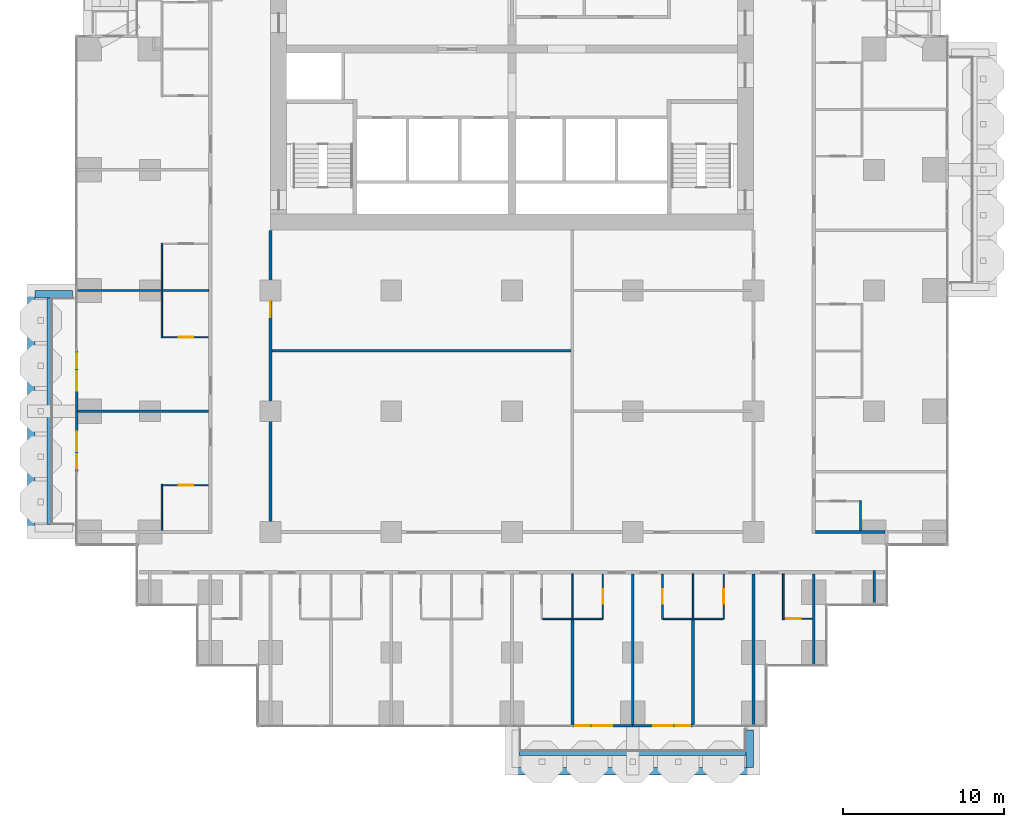
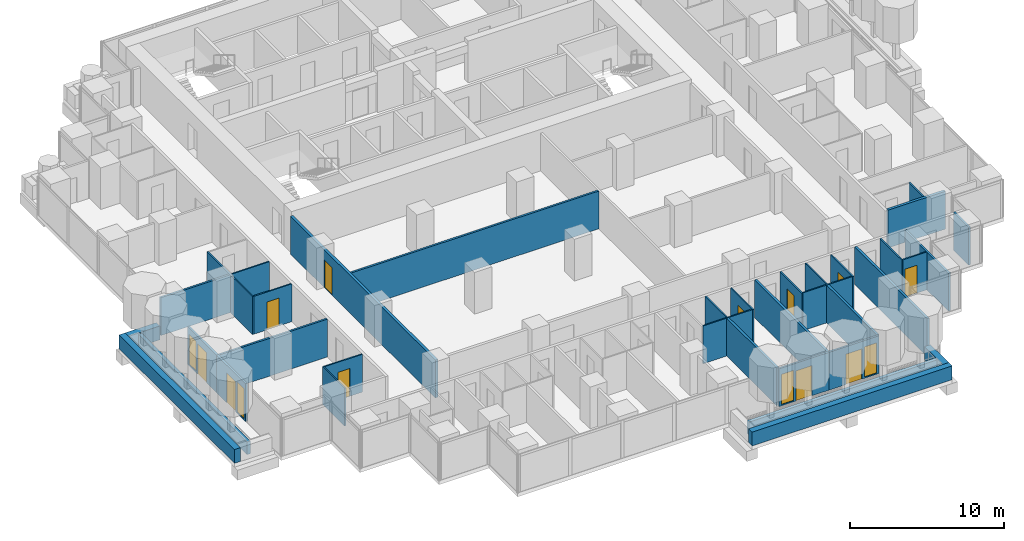
# One storey, part 12 of 19: 36 walls, 11 doors, 4 windows, 15 openings.
"""IFC4 building model written with IfcOpenShell, lengths in metres."""

from ifc_helpers import new_model, si_unit, direction, frame, frame_2d, origin, place, context, subcontext, project, spatial, rectangle, extrude, material, layer, layer_set, type_object, element, fill, save


model = new_model("IFC4")

# Units and contexts
model_context = context("Model", 3, precision=1e-05, world=origin(), true_north=direction((0.0, 1.0)))
body_context = subcontext(model_context, "Body", "Model", "MODEL_VIEW")
ifc_project = project(units=[si_unit("LENGTHUNIT", "METRE"), si_unit("AREAUNIT", "SQUARE_METRE"), si_unit("VOLUMEUNIT", "CUBIC_METRE"), si_unit("PLANEANGLEUNIT", "RADIAN"), si_unit("MASSUNIT", "GRAM", prefix="KILO")], contexts=[model_context])

# Site, building, storey
site_placement = place(None, origin())
site = spatial("IfcSite", under=ifc_project, at=site_placement, CompositionType="ELEMENT")
building_placement = place(site_placement, origin())
building = spatial("IfcBuilding", under=site, at=building_placement, Name="Pilkhan Gate Tower", CompositionType="ELEMENT")
storey_placement = place(building_placement, frame((0.0, 0.0, 72.5)))
storey = spatial("IfcBuildingStorey", under=building, at=storey_placement, Name="L16", CompositionType="ELEMENT", Elevation=72.5)

# Walls
ifc_material_1 = material(Name="Dense blockwork", Category="masonry")
ifc_layer_1 = layer(ifc_material_1, 0.175048828125)
ifc_layer_set_1 = layer_set([ifc_layer_1], Name="Acoustic party wall PW175")
wall_type_1 = type_object("IfcWallType", Name="Acoustic party wall PW175", PredefinedType="PARTITIONING", material=ifc_layer_set_1)
wall_1_placement = place(storey_placement, frame((78.75, 40.5400390625, 0.0), z_axis=(0.0, 0.0, 1.0), x_axis=(0.0, 1.0, 0.0)))
element("IfcWall", 1, at=wall_1_placement, inside=storey, type_object=wall_type_1, Name="Partition L16", PredefinedType="PARTITIONING", context=body_context, shape_type="SweptSolid", body=[
    extrude(rectangle(XDim=6.510009765625, YDim=0.175048828125, at=frame_2d((3.2548828125, 0.0))), origin(), (0.0, 0.0, 1.0), 3.0),
])
wall_2_placement = place(storey_placement, frame((82.5, 40.5400390625, 0.0), z_axis=(0.0, 0.0, 1.0), x_axis=(0.0, 1.0, 0.0)))
element("IfcWall", 2, at=wall_2_placement, inside=storey, type_object=wall_type_1, Name="Partition L16", PredefinedType="PARTITIONING", context=body_context, shape_type="SweptSolid", body=[
    extrude(rectangle(XDim=9.35986328125, YDim=0.175048828125, at=frame_2d((4.679931640625, 0.0))), origin(), (0.0, 0.0, 1.0), 3.0),
])
wall_3_placement = place(storey_placement, frame((86.25, 40.5400390625, 0.0), z_axis=(0.0, 0.0, 1.0), x_axis=(0.0, 1.0, 0.0)))
element("IfcWall", 3, at=wall_3_placement, inside=storey, type_object=wall_type_1, Name="Partition L16", PredefinedType="PARTITIONING", context=body_context, shape_type="SweptSolid", body=[
    extrude(rectangle(XDim=6.510009765625, YDim=0.175048828125, at=frame_2d((3.2548828125, 0.0))), origin(), (0.0, 0.0, 1.0), 3.0),
])
wall_4_placement = place(storey_placement, frame((90.0, 40.485107421875, 0.0), z_axis=(0.0, 0.0, 1.0), x_axis=(0.0, 1.0, 0.0)))
element("IfcWall", 4, at=wall_4_placement, inside=storey, type_object=wall_type_1, Name="Partition L16", PredefinedType="PARTITIONING", context=body_context, shape_type="SweptSolid", body=[
    extrude(rectangle(XDim=9.414794921875, YDim=0.175048828125, at=frame_2d((4.70751953125, 0.0))), origin(), (0.0, 0.0, 1.0), 3.0),
])
ifc_material_2 = material(Name="Concrete C40/50", Category="concrete")
ifc_layer_2 = layer(ifc_material_2, 0.25)
ifc_layer_set_2 = layer_set([ifc_layer_2], Name="Balcony planter BP250")
wall_type_2 = type_object("IfcWallType", Name="Balcony planter BP250", PredefinedType="USERDEFINED", material=ifc_layer_set_2)
for number, where, z_axis, x_axis, name in (
    (5, (75.449951171875, 38.72509765625, 0.0), (0.0, 0.0, 1.0), (1.0, 0.0, 0.0), "Balcony planter L16 S"),
    (6, (46.22509765625, 52.949951171875, 0.0), (0.0, 0.0, 1.0), (0.0, 1.0, 0.0), "Balcony planter L16 W"),
):
    element("IfcWall", number, at=place(storey_placement, frame(where, z_axis=z_axis, x_axis=x_axis)), inside=storey, type_object=wall_type_2, Name=name, ObjectType="BALCONY PLANTER", PredefinedType="USERDEFINED", context=body_context, shape_type="SweptSolid", body=[
        extrude(rectangle(XDim=14.10009765625, YDim=0.25, at=frame_2d((7.050048828125, 0.0))), origin(), (0.0, 0.0, 1.0), 1.0),
    ])
ifc_material_3 = material(Name="Board-marked Concrete C40/50", Category="concrete")
ifc_layer_3 = layer(ifc_material_3, 0.449951171875)
ifc_layer_set_3 = layer_set([ifc_layer_3], Name="Balcony planter lip BL450")
wall_type_3 = type_object("IfcWallType", Name="Balcony planter lip BL450", PredefinedType="USERDEFINED", material=ifc_layer_set_3)
wall_5_placement = place(storey_placement, frame((75.0, 37.625, 0.0), z_axis=(0.0, 0.0, 1.0), x_axis=(1.0, 0.0, 0.0)))
element("IfcWall", 7, at=wall_5_placement, inside=storey, type_object=wall_type_3, Name="Balcony planter L16 S", ObjectType="BALCONY PLANTER", PredefinedType="USERDEFINED", context=body_context, shape_type="SweptSolid", body=[
    extrude(rectangle(XDim=15.0, YDim=0.449951171875, at=frame_2d((7.5, 0.0))), origin(), (0.0, 0.0, 1.0), 1.10009765625),
])
wall_6_placement = place(storey_placement, frame((89.77490234375, 40.199951171875, 0.0), z_axis=(0.0, 0.0, 1.0), x_axis=(0.0, -1.0, 0.0)))
element("IfcWall", 8, at=wall_6_placement, inside=storey, type_object=wall_type_3, Name="Balcony planter L16 S", ObjectType="BALCONY PLANTER", PredefinedType="USERDEFINED", context=body_context, shape_type="SweptSolid", body=[
    extrude(rectangle(XDim=2.349853515625, YDim=0.449951171875, at=frame_2d((1.1748046875, 0.0))), origin(), (0.0, 0.0, 1.0), 1.10009765625),
])
wall_7_placement = place(storey_placement, frame((45.125, 52.5, 0.0), z_axis=(0.0, 0.0, 1.0), x_axis=(0.0, 1.0, 0.0)))
element("IfcWall", 9, at=wall_7_placement, inside=storey, type_object=wall_type_3, Name="Balcony planter L16 W", ObjectType="BALCONY PLANTER", PredefinedType="USERDEFINED", context=body_context, shape_type="SweptSolid", body=[
    extrude(rectangle(XDim=15.0, YDim=0.449951171875, at=frame_2d((7.5, 0.0))), origin(), (0.0, 0.0, 1.0), 1.10009765625),
])
wall_8_placement = place(storey_placement, frame((47.699951171875, 67.27490234375, 0.0), z_axis=(0.0, 0.0, 1.0), x_axis=(-1.0, 0.0, 0.0)))
element("IfcWall", 10, at=wall_8_placement, inside=storey, type_object=wall_type_3, Name="Balcony planter L16 W", ObjectType="BALCONY PLANTER", PredefinedType="USERDEFINED", context=body_context, shape_type="SweptSolid", body=[
    extrude(rectangle(XDim=2.349853515625, YDim=0.449951171875, at=frame_2d((1.1748046875, 0.0))), origin(), (0.0, 0.0, 1.0), 1.10009765625),
])
ifc_layer_4 = layer(ifc_material_1, 0.199951171875)
ifc_layer_set_4 = layer_set([ifc_layer_4], Name="Corridor wall FW200")
wall_type_4 = type_object("IfcWallType", Name="Corridor wall FW200", PredefinedType="PARTITIONING", material=ifc_layer_set_4)
wall_9_placement = place(storey_placement, frame((93.85009765625, 52.5, 0.0), z_axis=(0.0, 0.0, 1.0), x_axis=(1.0, 0.0, 0.0)))
element("IfcWall", 11, at=wall_9_placement, inside=storey, type_object=wall_type_4, Name="Partition L16", PredefinedType="PARTITIONING", context=body_context, shape_type="SweptSolid", body=[
    extrude(rectangle(XDim=4.31494140625, YDim=0.199951171875, at=frame_2d((2.157470703125, 0.0))), origin(), (0.0, 0.0, 1.0), 3.0),
])

# Wall, opening, door
wall_10_placement = place(storey_placement, frame((60.0, 52.39990234375, 0.0), z_axis=(0.0, 0.0, 1.0), x_axis=(0.0, 1.0, 0.0)))
wall_10 = element("IfcWall", 12, at=wall_10_placement, inside=storey, type_object=wall_type_4, Name="Partition L16", PredefinedType="PARTITIONING", context=body_context, shape_type="SweptSolid", body=[
    extrude(rectangle(XDim=18.840087890625, YDim=0.199951171875, at=frame_2d((9.419921875, 0.0))), origin(), (0.0, 0.0, 1.0), 3.0),
])
opening_1_placement = place(wall_10_placement, frame((13.449951171875, 0.0, 0.0)))
opening_1 = element("IfcOpeningElement", 13, at=opening_1_placement, cuts=wall_10, Name="Opening L16-57", PredefinedType="OPENING", context=body_context, shape_type="SweptSolid", body=[
    extrude(rectangle(XDim=1.0, YDim=2.199951171875, at=frame_2d((0.5, 1.10009765625))), frame((0.0, 0.10986328125, 0.0), z_axis=(0.0, -1.0, 0.0), x_axis=(1.0, 0.0, 0.0)), (0.0, 0.0, 1.0), 0.219970703125),
])
ifc_material_4 = material(Name="Timber flush door, 30 minute fire resisting", Category="wood")
door_type_1 = type_object("IfcDoorType", Name="Room door D03 1000x2200", OperationType="SINGLE_SWING_LEFT", PredefinedType="DOOR", material=ifc_material_4)
door_1_placement = place(opening_1_placement, origin())
door_1 = element("IfcDoor", 14, at=door_1_placement, inside=storey, type_object=door_type_1, Name="Room door", OperationType="SINGLE_SWING_RIGHT", OverallHeight=2.199951171875, OverallWidth=1.0, PredefinedType="DOOR", context=body_context, shape_type="SweptSolid", body=[
    extrude(rectangle(XDim=1.0, YDim=2.199951171875, at=frame_2d((0.5, 1.10009765625))), frame((0.0, 0.02490234375, 0.0), z_axis=(0.0, -1.0, 0.0), x_axis=(1.0, 0.0, 0.0)), (0.0, 0.0, 1.0), 0.050048828125),
])
fill(opening_1, door_1)

# Wall, openings, door, window
ifc_material_5 = material(Name="Pale anodised aluminium, clear laminated glazing", Category="aluminium")
ifc_layer_5 = layer(ifc_material_5, 0.14990234375)
ifc_layer_set_5 = layer_set([ifc_layer_5], Name="Facade infill wall IW150")
wall_type_5 = type_object("IfcWallType", Name="Facade infill wall IW150", PredefinedType="SOLIDWALL", material=ifc_layer_set_5)
wall_11_placement = place(storey_placement, frame((47.955078125, 56.25, 0.0), z_axis=(0.0, 0.0, 1.0), x_axis=(0.0, 1.0, 0.0)))
wall_11 = element("IfcWall", 15, at=wall_11_placement, inside=storey, type_object=wall_type_5, Name="Infill wall L16 W", PredefinedType="SOLIDWALL", context=body_context, shape_type="SweptSolid", body=[
    extrude(rectangle(XDim=3.75, YDim=0.14990234375, at=frame_2d((1.875, 0.0))), origin(), (0.0, 0.0, 1.0), 3.0),
])
opening_2_placement = place(wall_11_placement, frame((0.1875, 0.0, 0.10009765625)))
opening_2 = element("IfcOpeningElement", 16, at=opening_2_placement, cuts=wall_11, Name="Opening W1", PredefinedType="OPENING", context=body_context, shape_type="SweptSolid", body=[
    extrude(rectangle(XDim=0.89990234375, YDim=2.39990234375, at=frame_2d((0.449951171875, 1.199951171875))), frame((0.0, 0.0849609375, 0.0), z_axis=(0.0, -1.0, 0.0), x_axis=(1.0, 0.0, 0.0)), (0.0, 0.0, 1.0), 0.169921875),
])
opening_3_placement = place(wall_11_placement, frame((1.27490234375, 0.0, 0.0)))
opening_3 = element("IfcOpeningElement", 17, at=opening_3_placement, cuts=wall_11, Name="Opening D1", PredefinedType="OPENING", context=body_context, shape_type="SweptSolid", body=[
    extrude(rectangle(XDim=1.199951171875, YDim=2.39990234375, at=frame_2d((0.60009765625, 1.199951171875))), frame((0.0, 0.0849609375, 0.0), z_axis=(0.0, -1.0, 0.0), x_axis=(1.0, 0.0, 0.0)), (0.0, 0.0, 1.0), 0.169921875),
])
ifc_material_6 = material(Name="Pale anodised aluminium, clear glazing", Category="aluminium")
door_type_2 = type_object("IfcDoorType", Name="Balcony door D1 1200x2400", OperationType="SINGLE_SWING_LEFT", PredefinedType="DOOR", material=ifc_material_6)
door_2_placement = place(opening_3_placement, origin())
door_2 = element("IfcDoor", 18, at=door_2_placement, inside=storey, type_object=door_type_2, Name="Balcony door L16", OperationType="SINGLE_SWING_LEFT", OverallHeight=2.39990234375, OverallWidth=1.199951171875, PredefinedType="DOOR", context=body_context, shape_type="SweptSolid", body=[
    extrude(rectangle(XDim=1.199951171875, YDim=2.39990234375, at=frame_2d((0.60009765625, 1.199951171875))), frame((0.0, 0.02490234375, 0.0), z_axis=(0.0, -1.0, 0.0), x_axis=(1.0, 0.0, 0.0)), (0.0, 0.0, 1.0), 0.050048828125),
])
fill(opening_3, door_2)
ifc_material_7 = material(Name="Pale anodised aluminium, clear double glazing", Category="aluminium")
window_type = type_object("IfcWindowType", Name="Window W1 900x2400", PartitioningType="SINGLE_PANEL", PredefinedType="WINDOW", material=ifc_material_7)
window_1_placement = place(opening_2_placement, origin())
window_1 = element("IfcWindow", 19, at=window_1_placement, inside=storey, type_object=window_type, Name="Window L16", OverallHeight=2.39990234375, OverallWidth=0.89990234375, PartitioningType="SINGLE_PANEL", PredefinedType="WINDOW", context=body_context, shape_type="SweptSolid", body=[
    extrude(rectangle(XDim=0.89990234375, YDim=2.39990234375, at=frame_2d((0.449951171875, 1.199951171875))), frame((0.0, 0.030029296875, 0.0), z_axis=(0.0, -1.0, 0.0), x_axis=(1.0, 0.0, 0.0)), (0.0, 0.0, 1.0), 0.06005859375),
])
fill(opening_2, window_1)

wall_12_placement = place(storey_placement, frame((47.955078125, 60.0, 0.0), z_axis=(0.0, 0.0, 1.0), x_axis=(0.0, 1.0, 0.0)))
wall_12 = element("IfcWall", 20, at=wall_12_placement, inside=storey, type_object=wall_type_5, Name="Infill wall L16 W", PredefinedType="SOLIDWALL", context=body_context, shape_type="SweptSolid", body=[
    extrude(rectangle(XDim=3.75, YDim=0.14990234375, at=frame_2d((1.875, 0.0))), origin(), (0.0, 0.0, 1.0), 3.0),
])
opening_4_placement = place(wall_12_placement, frame((1.27490234375, 0.0, 0.0)))
opening_4 = element("IfcOpeningElement", 21, at=opening_4_placement, cuts=wall_12, Name="Opening D1", PredefinedType="OPENING", context=body_context, shape_type="SweptSolid", body=[
    extrude(rectangle(XDim=1.199951171875, YDim=2.39990234375, at=frame_2d((0.60009765625, 1.199951171875))), frame((0.0, 0.0849609375, 0.0), z_axis=(0.0, -1.0, 0.0), x_axis=(1.0, 0.0, 0.0)), (0.0, 0.0, 1.0), 0.169921875),
])
opening_5_placement = place(wall_12_placement, frame((2.66259765625, 0.0, 0.10009765625)))
opening_5 = element("IfcOpeningElement", 22, at=opening_5_placement, cuts=wall_12, Name="Opening W1", PredefinedType="OPENING", context=body_context, shape_type="SweptSolid", body=[
    extrude(rectangle(XDim=0.89990234375, YDim=2.39990234375, at=frame_2d((0.449951171875, 1.199951171875))), frame((0.0, 0.0849609375, 0.0), z_axis=(0.0, -1.0, 0.0), x_axis=(1.0, 0.0, 0.0)), (0.0, 0.0, 1.0), 0.169921875),
])
door_3_placement = place(opening_4_placement, origin())
door_3 = element("IfcDoor", 23, at=door_3_placement, inside=storey, type_object=door_type_2, Name="Balcony door L16", OperationType="SINGLE_SWING_LEFT", OverallHeight=2.39990234375, OverallWidth=1.199951171875, PredefinedType="DOOR", context=body_context, shape_type="SweptSolid", body=[
    extrude(rectangle(XDim=1.199951171875, YDim=2.39990234375, at=frame_2d((0.60009765625, 1.199951171875))), frame((0.0, 0.02490234375, 0.0), z_axis=(0.0, -1.0, 0.0), x_axis=(1.0, 0.0, 0.0)), (0.0, 0.0, 1.0), 0.050048828125),
])
fill(opening_4, door_3)
window_2_placement = place(opening_5_placement, origin())
window_2 = element("IfcWindow", 24, at=window_2_placement, inside=storey, type_object=window_type, Name="Window L16", OverallHeight=2.39990234375, OverallWidth=0.89990234375, PartitioningType="SINGLE_PANEL", PredefinedType="WINDOW", context=body_context, shape_type="SweptSolid", body=[
    extrude(rectangle(XDim=0.89990234375, YDim=2.39990234375, at=frame_2d((0.449951171875, 1.199951171875))), frame((0.0, 0.030029296875, 0.0), z_axis=(0.0, -1.0, 0.0), x_axis=(1.0, 0.0, 0.0)), (0.0, 0.0, 1.0), 0.06005859375),
])
fill(opening_5, window_2)

wall_13_placement = place(storey_placement, frame((78.75, 40.455078125, 0.0), z_axis=(0.0, 0.0, 1.0), x_axis=(1.0, 0.0, 0.0)))
wall_13 = element("IfcWall", 25, at=wall_13_placement, inside=storey, type_object=wall_type_5, Name="Infill wall L16 S", PredefinedType="SOLIDWALL", context=body_context, shape_type="SweptSolid", body=[
    extrude(rectangle(XDim=3.75, YDim=0.14990234375, at=frame_2d((1.875, 0.0))), origin(), (0.0, 0.0, 1.0), 3.0),
])
opening_6_placement = place(wall_13_placement, frame((0.1875, 0.0, 0.10009765625)))
opening_6 = element("IfcOpeningElement", 26, at=opening_6_placement, cuts=wall_13, Name="Opening W1", PredefinedType="OPENING", context=body_context, shape_type="SweptSolid", body=[
    extrude(rectangle(XDim=0.89990234375, YDim=2.39990234375, at=frame_2d((0.449951171875, 1.199951171875))), frame((0.0, 0.0849609375, 0.0), z_axis=(0.0, -1.0, 0.0), x_axis=(1.0, 0.0, 0.0)), (0.0, 0.0, 1.0), 0.169921875),
])
opening_7_placement = place(wall_13_placement, frame((1.27490234375, 0.0, 0.0)))
opening_7 = element("IfcOpeningElement", 27, at=opening_7_placement, cuts=wall_13, Name="Opening D1", PredefinedType="OPENING", context=body_context, shape_type="SweptSolid", body=[
    extrude(rectangle(XDim=1.199951171875, YDim=2.39990234375, at=frame_2d((0.60009765625, 1.199951171875))), frame((0.0, 0.0849609375, 0.0), z_axis=(0.0, -1.0, 0.0), x_axis=(1.0, 0.0, 0.0)), (0.0, 0.0, 1.0), 0.169921875),
])
door_4_placement = place(opening_7_placement, origin())
door_4 = element("IfcDoor", 28, at=door_4_placement, inside=storey, type_object=door_type_2, Name="Balcony door L16", OperationType="SINGLE_SWING_LEFT", OverallHeight=2.39990234375, OverallWidth=1.199951171875, PredefinedType="DOOR", context=body_context, shape_type="SweptSolid", body=[
    extrude(rectangle(XDim=1.199951171875, YDim=2.39990234375, at=frame_2d((0.60009765625, 1.199951171875))), frame((0.0, 0.02490234375, 0.0), z_axis=(0.0, -1.0, 0.0), x_axis=(1.0, 0.0, 0.0)), (0.0, 0.0, 1.0), 0.050048828125),
])
fill(opening_7, door_4)
window_3_placement = place(opening_6_placement, origin())
window_3 = element("IfcWindow", 29, at=window_3_placement, inside=storey, type_object=window_type, Name="Window L16", OverallHeight=2.39990234375, OverallWidth=0.89990234375, PartitioningType="SINGLE_PANEL", PredefinedType="WINDOW", context=body_context, shape_type="SweptSolid", body=[
    extrude(rectangle(XDim=0.89990234375, YDim=2.39990234375, at=frame_2d((0.449951171875, 1.199951171875))), frame((0.0, 0.030029296875, 0.0), z_axis=(0.0, -1.0, 0.0), x_axis=(1.0, 0.0, 0.0)), (0.0, 0.0, 1.0), 0.06005859375),
])
fill(opening_6, window_3)

wall_14_placement = place(storey_placement, frame((82.5, 40.455078125, 0.0), z_axis=(0.0, 0.0, 1.0), x_axis=(1.0, 0.0, 0.0)))
wall_14 = element("IfcWall", 30, at=wall_14_placement, inside=storey, type_object=wall_type_5, Name="Infill wall L16 S", PredefinedType="SOLIDWALL", context=body_context, shape_type="SweptSolid", body=[
    extrude(rectangle(XDim=3.75, YDim=0.14990234375, at=frame_2d((1.875, 0.0))), origin(), (0.0, 0.0, 1.0), 3.0),
])
opening_8_placement = place(wall_14_placement, frame((1.27490234375, 0.0, 0.0)))
opening_8 = element("IfcOpeningElement", 31, at=opening_8_placement, cuts=wall_14, Name="Opening D1", PredefinedType="OPENING", context=body_context, shape_type="SweptSolid", body=[
    extrude(rectangle(XDim=1.199951171875, YDim=2.39990234375, at=frame_2d((0.60009765625, 1.199951171875))), frame((0.0, 0.0849609375, 0.0), z_axis=(0.0, -1.0, 0.0), x_axis=(1.0, 0.0, 0.0)), (0.0, 0.0, 1.0), 0.169921875),
])
opening_9_placement = place(wall_14_placement, frame((2.66259765625, 0.0, 0.10009765625)))
opening_9 = element("IfcOpeningElement", 32, at=opening_9_placement, cuts=wall_14, Name="Opening W1", PredefinedType="OPENING", context=body_context, shape_type="SweptSolid", body=[
    extrude(rectangle(XDim=0.89990234375, YDim=2.39990234375, at=frame_2d((0.449951171875, 1.199951171875))), frame((0.0, 0.0849609375, 0.0), z_axis=(0.0, -1.0, 0.0), x_axis=(1.0, 0.0, 0.0)), (0.0, 0.0, 1.0), 0.169921875),
])
door_5_placement = place(opening_8_placement, origin())
door_5 = element("IfcDoor", 33, at=door_5_placement, inside=storey, type_object=door_type_2, Name="Balcony door L16", OperationType="SINGLE_SWING_LEFT", OverallHeight=2.39990234375, OverallWidth=1.199951171875, PredefinedType="DOOR", context=body_context, shape_type="SweptSolid", body=[
    extrude(rectangle(XDim=1.199951171875, YDim=2.39990234375, at=frame_2d((0.60009765625, 1.199951171875))), frame((0.0, 0.02490234375, 0.0), z_axis=(0.0, -1.0, 0.0), x_axis=(1.0, 0.0, 0.0)), (0.0, 0.0, 1.0), 0.050048828125),
])
fill(opening_8, door_5)
window_4_placement = place(opening_9_placement, origin())
window_4 = element("IfcWindow", 34, at=window_4_placement, inside=storey, type_object=window_type, Name="Window L16", OverallHeight=2.39990234375, OverallWidth=0.89990234375, PartitioningType="SINGLE_PANEL", PredefinedType="WINDOW", context=body_context, shape_type="SweptSolid", body=[
    extrude(rectangle(XDim=0.89990234375, YDim=2.39990234375, at=frame_2d((0.449951171875, 1.199951171875))), frame((0.0, 0.030029296875, 0.0), z_axis=(0.0, -1.0, 0.0), x_axis=(1.0, 0.0, 0.0)), (0.0, 0.0, 1.0), 0.06005859375),
])
fill(opening_9, window_4)

# Walls
ifc_material_8 = material(Name="Blockwork partition, plastered both sides", Category="masonry")
ifc_layer_6 = layer(ifc_material_8, 0.14990234375)
ifc_layer_set_6 = layer_set([ifc_layer_6], Name="Partition PW150")
wall_type_6 = type_object("IfcWallType", Name="Partition PW150", PredefinedType="PARTITIONING", material=ifc_layer_set_6)
wall_15_placement = place(storey_placement, frame((48.0400390625, 60.0, 0.0), z_axis=(0.0, 0.0, 1.0), x_axis=(1.0, 0.0, 0.0)))
element("IfcWall", 35, at=wall_15_placement, inside=storey, type_object=wall_type_6, Name="Partition L16", PredefinedType="PARTITIONING", context=body_context, shape_type="SweptSolid", body=[
    extrude(rectangle(XDim=8.10986328125, YDim=0.14990234375, at=frame_2d((4.054931640625, 0.0))), origin(), (0.0, 0.0, 1.0), 3.0),
])
wall_16_placement = place(storey_placement, frame((60.10009765625, 63.75, 0.0), z_axis=(0.0, 0.0, 1.0), x_axis=(1.0, 0.0, 0.0)))
element("IfcWall", 36, at=wall_16_placement, inside=storey, type_object=wall_type_6, Name="Partition L16", PredefinedType="PARTITIONING", context=body_context, shape_type="SweptSolid", body=[
    extrude(rectangle(XDim=18.574951171875, YDim=0.14990234375, at=frame_2d((9.28759765625, 0.0))), origin(), (0.0, 0.0, 1.0), 3.0),
])
wall_17_placement = place(storey_placement, frame((47.985107421875, 67.5, 0.0), z_axis=(0.0, 0.0, 1.0), x_axis=(1.0, 0.0, 0.0)))
element("IfcWall", 37, at=wall_17_placement, inside=storey, type_object=wall_type_6, Name="Partition L16", PredefinedType="PARTITIONING", context=body_context, shape_type="SweptSolid", body=[
    extrude(rectangle(XDim=5.21484375, YDim=0.14990234375, at=frame_2d((2.607421875, 0.0))), origin(), (0.0, 0.0, 1.0), 3.0),
])
wall_18_placement = place(storey_placement, frame((93.75, 44.235107421875, 0.0), z_axis=(0.0, 0.0, 1.0), x_axis=(0.0, 1.0, 0.0)))
element("IfcWall", 38, at=wall_18_placement, inside=storey, type_object=wall_type_6, Name="Partition L16", PredefinedType="PARTITIONING", context=body_context, shape_type="SweptSolid", body=[
    extrude(rectangle(XDim=5.664794921875, YDim=0.14990234375, at=frame_2d((2.83251953125, 0.0))), origin(), (0.0, 0.0, 1.0), 3.0),
])
wall_19_placement = place(storey_placement, frame((97.5, 48.10498046875, 0.0), z_axis=(0.0, 0.0, 1.0), x_axis=(0.0, 1.0, 0.0)))
element("IfcWall", 39, at=wall_19_placement, inside=storey, type_object=wall_type_6, Name="Partition L16", PredefinedType="PARTITIONING", context=body_context, shape_type="SweptSolid", body=[
    extrude(rectangle(XDim=1.9951171875, YDim=0.14990234375, at=frame_2d((0.99755859375, 0.0))), origin(), (0.0, 0.0, 1.0), 3.0),
])
ifc_material_9 = material(Name="Moisture resistant board, tiled")
ifc_layer_7 = layer(ifc_material_9, 0.10009765625)
ifc_layer_set_7 = layer_set([ifc_layer_7], Name="Wet wall PW100")
wall_type_7 = type_object("IfcWallType", Name="Wet wall PW100", PredefinedType="PARTITIONING", material=ifc_layer_set_7)
for number, where, z_axis, x_axis, name in (
    (40, (76.89990234375, 47.10009765625, 0.0), (0.0, 0.0, 1.0), (1.0, 0.0, 0.0), "Partition L16"),
    (41, (84.39990234375, 47.10009765625, 0.0), (0.0, 0.0, 1.0), (1.0, 0.0, 0.0), "Partition L16"),
):
    element("IfcWall", number, at=place(storey_placement, frame(where, z_axis=z_axis, x_axis=x_axis)), inside=storey, type_object=wall_type_7, Name=name, PredefinedType="PARTITIONING", context=body_context, shape_type="SweptSolid", body=[
        extrude(rectangle(XDim=3.7001953125, YDim=0.10009765625, at=frame_2d((1.85009765625, 0.0))), origin(), (0.0, 0.0, 1.0), 3.0),
    ])

# Wall, opening, door
wall_20_placement = place(storey_placement, frame((91.89990234375, 47.10009765625, 0.0), z_axis=(0.0, 0.0, 1.0), x_axis=(1.0, 0.0, 0.0)))
wall_20 = element("IfcWall", 42, at=wall_20_placement, inside=storey, type_object=wall_type_7, Name="Partition L16", PredefinedType="PARTITIONING", context=body_context, shape_type="SweptSolid", body=[
    extrude(rectangle(XDim=1.775146484375, YDim=0.10009765625, at=frame_2d((0.8876953125, 0.0))), origin(), (0.0, 0.0, 1.0), 3.0),
])
opening_10_placement = place(wall_20_placement, frame((0.14990234375, 0.0, 0.0)))
opening_10 = element("IfcOpeningElement", 43, at=opening_10_placement, cuts=wall_20, Name="Opening L16-25", PredefinedType="OPENING", context=body_context, shape_type="SweptSolid", body=[
    extrude(rectangle(XDim=0.89990234375, YDim=2.199951171875, at=frame_2d((0.449951171875, 1.10009765625))), frame((0.0, 0.06005859375, 0.0), z_axis=(0.0, -1.0, 0.0), x_axis=(1.0, 0.0, 0.0)), (0.0, 0.0, 1.0), 0.1201171875),
])
ifc_material_10 = material(Name="Timber flush door", Category="wood")
door_type_3 = type_object("IfcDoorType", Name="Bathroom door D02 900x2200", OperationType="SINGLE_SWING_RIGHT", PredefinedType="DOOR", material=ifc_material_10)
door_6_placement = place(opening_10_placement, origin())
door_6 = element("IfcDoor", 44, at=door_6_placement, inside=storey, type_object=door_type_3, Name="Bathroom door", OperationType="SINGLE_SWING_RIGHT", OverallHeight=2.199951171875, OverallWidth=0.89990234375, PredefinedType="DOOR", context=body_context, shape_type="SweptSolid", body=[
    extrude(rectangle(XDim=0.89990234375, YDim=2.199951171875, at=frame_2d((0.449951171875, 1.10009765625))), frame((0.0, 0.02490234375, 0.0), z_axis=(0.0, -1.0, 0.0), x_axis=(1.0, 0.0, 0.0)), (0.0, 0.0, 1.0), 0.050048828125),
])
fill(opening_10, door_6)

wall_21_placement = place(storey_placement, frame((53.300048828125, 55.39990234375, 0.0), z_axis=(0.0, 0.0, 1.0), x_axis=(1.0, 0.0, 0.0)))
wall_21 = element("IfcWall", 45, at=wall_21_placement, inside=storey, type_object=wall_type_7, Name="Partition L16", PredefinedType="PARTITIONING", context=body_context, shape_type="SweptSolid", body=[
    extrude(rectangle(XDim=2.849853515625, YDim=0.10009765625, at=frame_2d((1.4248046875, 0.0))), origin(), (0.0, 0.0, 1.0), 3.0),
])
opening_11_placement = place(wall_21_placement, frame((1.0, 0.0, 0.0)))
opening_11 = element("IfcOpeningElement", 46, at=opening_11_placement, cuts=wall_21, Name="Opening L16-27", PredefinedType="OPENING", context=body_context, shape_type="SweptSolid", body=[
    extrude(rectangle(XDim=0.89990234375, YDim=2.199951171875, at=frame_2d((0.449951171875, 1.10009765625))), frame((0.0, 0.06005859375, 0.0), z_axis=(0.0, -1.0, 0.0), x_axis=(1.0, 0.0, 0.0)), (0.0, 0.0, 1.0), 0.1201171875),
])
door_7_placement = place(opening_11_placement, origin())
door_7 = element("IfcDoor", 47, at=door_7_placement, inside=storey, type_object=door_type_3, Name="Bathroom door", OperationType="SINGLE_SWING_RIGHT", OverallHeight=2.199951171875, OverallWidth=0.89990234375, PredefinedType="DOOR", context=body_context, shape_type="SweptSolid", body=[
    extrude(rectangle(XDim=0.89990234375, YDim=2.199951171875, at=frame_2d((0.449951171875, 1.10009765625))), frame((0.0, 0.02490234375, 0.0), z_axis=(0.0, -1.0, 0.0), x_axis=(1.0, 0.0, 0.0)), (0.0, 0.0, 1.0), 0.050048828125),
])
fill(opening_11, door_7)

wall_22_placement = place(storey_placement, frame((53.300048828125, 64.60009765625, 0.0), z_axis=(0.0, 0.0, 1.0), x_axis=(1.0, 0.0, 0.0)))
wall_22 = element("IfcWall", 48, at=wall_22_placement, inside=storey, type_object=wall_type_7, Name="Partition L16", PredefinedType="PARTITIONING", context=body_context, shape_type="SweptSolid", body=[
    extrude(rectangle(XDim=2.849853515625, YDim=0.10009765625, at=frame_2d((1.4248046875, 0.0))), origin(), (0.0, 0.0, 1.0), 3.0),
])
opening_12_placement = place(wall_22_placement, frame((1.0, 0.0, 0.0)))
opening_12 = element("IfcOpeningElement", 49, at=opening_12_placement, cuts=wall_22, Name="Opening L16-29", PredefinedType="OPENING", context=body_context, shape_type="SweptSolid", body=[
    extrude(rectangle(XDim=0.89990234375, YDim=2.199951171875, at=frame_2d((0.449951171875, 1.10009765625))), frame((0.0, 0.06005859375, 0.0), z_axis=(0.0, -1.0, 0.0), x_axis=(1.0, 0.0, 0.0)), (0.0, 0.0, 1.0), 0.1201171875),
])
door_8_placement = place(opening_12_placement, origin())
door_8 = element("IfcDoor", 50, at=door_8_placement, inside=storey, type_object=door_type_3, Name="Bathroom door", OperationType="SINGLE_SWING_RIGHT", OverallHeight=2.199951171875, OverallWidth=0.89990234375, PredefinedType="DOOR", context=body_context, shape_type="SweptSolid", body=[
    extrude(rectangle(XDim=0.89990234375, YDim=2.199951171875, at=frame_2d((0.449951171875, 1.10009765625))), frame((0.0, 0.02490234375, 0.0), z_axis=(0.0, -1.0, 0.0), x_axis=(1.0, 0.0, 0.0)), (0.0, 0.0, 1.0), 0.050048828125),
])
fill(opening_12, door_8)

# Walls
for number, where, z_axis, x_axis, name in (
    (51, (53.300048828125, 67.5, 0.0), (0.0, 0.0, 1.0), (1.0, 0.0, 0.0), "Partition L16"),
    (52, (53.25, 52.60009765625, 0.0), (0.0, 0.0, 1.0), (0.0, 1.0, 0.0), "Partition L16"),
):
    element("IfcWall", number, at=place(storey_placement, frame(where, z_axis=z_axis, x_axis=x_axis)), inside=storey, type_object=wall_type_7, Name=name, PredefinedType="PARTITIONING", context=body_context, shape_type="SweptSolid", body=[
        extrude(rectangle(XDim=2.849853515625, YDim=0.10009765625, at=frame_2d((1.4248046875, 0.0))), origin(), (0.0, 0.0, 1.0), 3.0),
    ])
wall_23_placement = place(storey_placement, frame((53.25, 64.550048828125, 0.0), z_axis=(0.0, 0.0, 1.0), x_axis=(0.0, 1.0, 0.0)))
element("IfcWall", 53, at=wall_23_placement, inside=storey, type_object=wall_type_7, Name="Partition L16", PredefinedType="PARTITIONING", context=body_context, shape_type="SweptSolid", body=[
    extrude(rectangle(XDim=5.89990234375, YDim=0.10009765625, at=frame_2d((2.949951171875, 0.0))), origin(), (0.0, 0.0, 1.0), 3.0),
])
wall_24_placement = place(storey_placement, frame((78.75, 47.14990234375, 0.0), z_axis=(0.0, 0.0, 1.0), x_axis=(0.0, 1.0, 0.0)))
element("IfcWall", 54, at=wall_24_placement, inside=storey, type_object=wall_type_7, Name="Partition L16", PredefinedType="PARTITIONING", context=body_context, shape_type="SweptSolid", body=[
    extrude(rectangle(XDim=2.75, YDim=0.10009765625, at=frame_2d((1.375, 0.0))), origin(), (0.0, 0.0, 1.0), 3.0),
])

# Wall, opening, door
wall_25_placement = place(storey_placement, frame((80.64990234375, 47.050048828125, 0.0), z_axis=(0.0, 0.0, 1.0), x_axis=(0.0, 1.0, 0.0)))
wall_25 = element("IfcWall", 55, at=wall_25_placement, inside=storey, type_object=wall_type_7, Name="Partition L16", PredefinedType="PARTITIONING", context=body_context, shape_type="SweptSolid", body=[
    extrude(rectangle(XDim=2.849853515625, YDim=0.10009765625, at=frame_2d((1.4248046875, 0.0))), origin(), (0.0, 0.0, 1.0), 3.0),
])
opening_13_placement = place(wall_25_placement, frame((1.0, 0.0, 0.0)))
opening_13 = element("IfcOpeningElement", 56, at=opening_13_placement, cuts=wall_25, Name="Opening L16-19", PredefinedType="OPENING", context=body_context, shape_type="SweptSolid", body=[
    extrude(rectangle(XDim=0.89990234375, YDim=2.199951171875, at=frame_2d((0.449951171875, 1.10009765625))), frame((0.0, 0.06005859375, 0.0), z_axis=(0.0, -1.0, 0.0), x_axis=(1.0, 0.0, 0.0)), (0.0, 0.0, 1.0), 0.1201171875),
])
door_9_placement = place(opening_13_placement, origin())
door_9 = element("IfcDoor", 57, at=door_9_placement, inside=storey, type_object=door_type_3, Name="Bathroom door", OperationType="SINGLE_SWING_RIGHT", OverallHeight=2.199951171875, OverallWidth=0.89990234375, PredefinedType="DOOR", context=body_context, shape_type="SweptSolid", body=[
    extrude(rectangle(XDim=0.89990234375, YDim=2.199951171875, at=frame_2d((0.449951171875, 1.10009765625))), frame((0.0, 0.02490234375, 0.0), z_axis=(0.0, -1.0, 0.0), x_axis=(1.0, 0.0, 0.0)), (0.0, 0.0, 1.0), 0.050048828125),
])
fill(opening_13, door_9)

wall_26_placement = place(storey_placement, frame((84.35009765625, 47.050048828125, 0.0), z_axis=(0.0, 0.0, 1.0), x_axis=(0.0, 1.0, 0.0)))
wall_26 = element("IfcWall", 58, at=wall_26_placement, inside=storey, type_object=wall_type_7, Name="Partition L16", PredefinedType="PARTITIONING", context=body_context, shape_type="SweptSolid", body=[
    extrude(rectangle(XDim=2.849853515625, YDim=0.10009765625, at=frame_2d((1.4248046875, 0.0))), origin(), (0.0, 0.0, 1.0), 3.0),
])
opening_14_placement = place(wall_26_placement, frame((1.0, 0.0, 0.0)))
opening_14 = element("IfcOpeningElement", 59, at=opening_14_placement, cuts=wall_26, Name="Opening L16-21", PredefinedType="OPENING", context=body_context, shape_type="SweptSolid", body=[
    extrude(rectangle(XDim=0.89990234375, YDim=2.199951171875, at=frame_2d((0.449951171875, 1.10009765625))), frame((0.0, 0.06005859375, 0.0), z_axis=(0.0, -1.0, 0.0), x_axis=(1.0, 0.0, 0.0)), (0.0, 0.0, 1.0), 0.1201171875),
])
door_10_placement = place(opening_14_placement, origin())
door_10 = element("IfcDoor", 60, at=door_10_placement, inside=storey, type_object=door_type_3, Name="Bathroom door", OperationType="SINGLE_SWING_RIGHT", OverallHeight=2.199951171875, OverallWidth=0.89990234375, PredefinedType="DOOR", context=body_context, shape_type="SweptSolid", body=[
    extrude(rectangle(XDim=0.89990234375, YDim=2.199951171875, at=frame_2d((0.449951171875, 1.10009765625))), frame((0.0, 0.02490234375, 0.0), z_axis=(0.0, -1.0, 0.0), x_axis=(1.0, 0.0, 0.0)), (0.0, 0.0, 1.0), 0.050048828125),
])
fill(opening_14, door_10)

# Wall
wall_27_placement = place(storey_placement, frame((86.25, 47.14990234375, 0.0), z_axis=(0.0, 0.0, 1.0), x_axis=(0.0, 1.0, 0.0)))
element("IfcWall", 61, at=wall_27_placement, inside=storey, type_object=wall_type_7, Name="Partition L16", PredefinedType="PARTITIONING", context=body_context, shape_type="SweptSolid", body=[
    extrude(rectangle(XDim=2.75, YDim=0.10009765625, at=frame_2d((1.375, 0.0))), origin(), (0.0, 0.0, 1.0), 3.0),
])

# Wall, opening, door
wall_28_placement = place(storey_placement, frame((88.14990234375, 47.050048828125, 0.0), z_axis=(0.0, 0.0, 1.0), x_axis=(0.0, 1.0, 0.0)))
wall_28 = element("IfcWall", 62, at=wall_28_placement, inside=storey, type_object=wall_type_7, Name="Partition L16", PredefinedType="PARTITIONING", context=body_context, shape_type="SweptSolid", body=[
    extrude(rectangle(XDim=2.849853515625, YDim=0.10009765625, at=frame_2d((1.4248046875, 0.0))), origin(), (0.0, 0.0, 1.0), 3.0),
])
opening_15_placement = place(wall_28_placement, frame((1.0, 0.0, 0.0)))
opening_15 = element("IfcOpeningElement", 63, at=opening_15_placement, cuts=wall_28, Name="Opening L16-23", PredefinedType="OPENING", context=body_context, shape_type="SweptSolid", body=[
    extrude(rectangle(XDim=0.89990234375, YDim=2.199951171875, at=frame_2d((0.449951171875, 1.10009765625))), frame((0.0, 0.06005859375, 0.0), z_axis=(0.0, -1.0, 0.0), x_axis=(1.0, 0.0, 0.0)), (0.0, 0.0, 1.0), 0.1201171875),
])
door_11_placement = place(opening_15_placement, origin())
door_11 = element("IfcDoor", 64, at=door_11_placement, inside=storey, type_object=door_type_3, Name="Bathroom door", OperationType="SINGLE_SWING_RIGHT", OverallHeight=2.199951171875, OverallWidth=0.89990234375, PredefinedType="DOOR", context=body_context, shape_type="SweptSolid", body=[
    extrude(rectangle(XDim=0.89990234375, YDim=2.199951171875, at=frame_2d((0.449951171875, 1.10009765625))), frame((0.0, 0.02490234375, 0.0), z_axis=(0.0, -1.0, 0.0), x_axis=(1.0, 0.0, 0.0)), (0.0, 0.0, 1.0), 0.050048828125),
])
fill(opening_15, door_11)

# Walls
wall_29_placement = place(storey_placement, frame((91.85009765625, 47.050048828125, 0.0), z_axis=(0.0, 0.0, 1.0), x_axis=(0.0, 1.0, 0.0)))
element("IfcWall", 65, at=wall_29_placement, inside=storey, type_object=wall_type_7, Name="Partition L16", PredefinedType="PARTITIONING", context=body_context, shape_type="SweptSolid", body=[
    extrude(rectangle(XDim=2.849853515625, YDim=0.10009765625, at=frame_2d((1.4248046875, 0.0))), origin(), (0.0, 0.0, 1.0), 3.0),
])
wall_30_placement = place(storey_placement, frame((96.64990234375, 52.60009765625, 0.0), z_axis=(0.0, 0.0, 1.0), x_axis=(0.0, 1.0, 0.0)))
element("IfcWall", 66, at=wall_30_placement, inside=storey, type_object=wall_type_7, Name="Partition L16", PredefinedType="PARTITIONING", context=body_context, shape_type="SweptSolid", body=[
    extrude(rectangle(XDim=1.849853515625, YDim=0.10009765625, at=frame_2d((0.9248046875, 0.0))), origin(), (0.0, 0.0, 1.0), 3.0),
])

save(model, "model.ifc")
